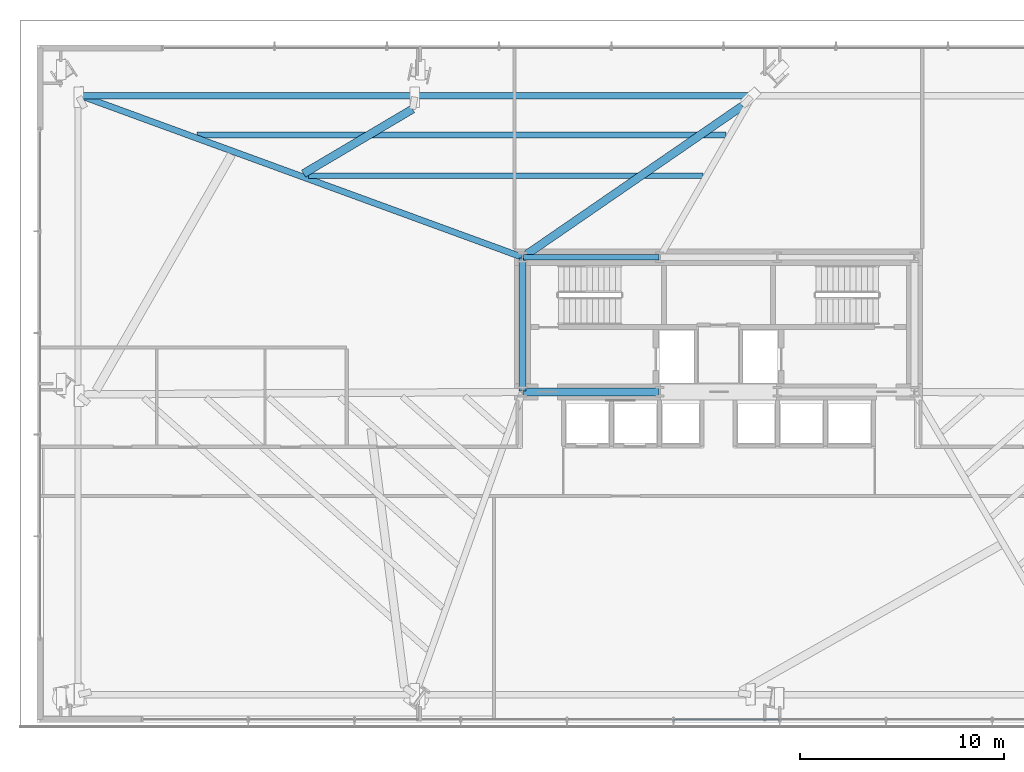
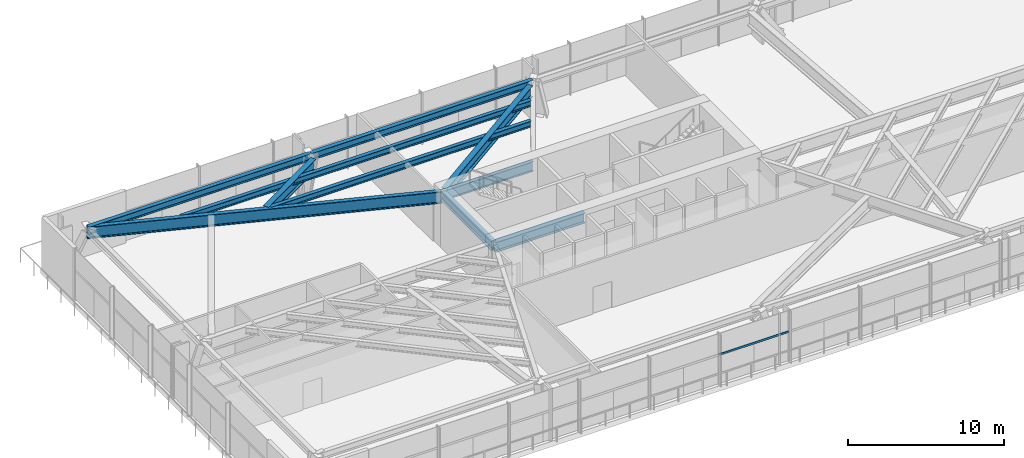
# One storey, part 11 of 33: 10 beams, 1 member, 1 element without a shape of its own.
"""IFC4 building model written with IfcOpenShell, lengths in metres."""

from ifc_helpers import new_model, si_unit, direction, frame, origin, origin_2d, place, context, subcontext, project, spatial, hollow_rectangle, i_section, extrude, source, transform, mapped, material, material_profile, profile_set, type_object, type_shapes, element, aggregate, save


model = new_model("IFC4")

# Units and contexts
model_context = context("Model", 3, precision=1e-05, world=origin(), true_north=direction((0.0, 1.0)))
body_context = subcontext(model_context, "Body", "Model", "MODEL_VIEW")
ifc_project = project(units=[si_unit("LENGTHUNIT", "METRE"), si_unit("AREAUNIT", "SQUARE_METRE"), si_unit("VOLUMEUNIT", "CUBIC_METRE"), si_unit("PLANEANGLEUNIT", "RADIAN"), si_unit("MASSUNIT", "GRAM", prefix="KILO")], contexts=[model_context])

# Site, building, storey
site_placement = place(None, origin())
site = spatial("IfcSite", under=ifc_project, at=site_placement, CompositionType="ELEMENT")
building_placement = place(site_placement, origin())
building = spatial("IfcBuilding", under=site, at=building_placement, Name="Astriad Promenade Condominiums", CompositionType="ELEMENT")
storey_placement = place(building_placement, frame((0.0, 0.0, 9.5)))
storey = spatial("IfcBuildingStorey", under=building, at=storey_placement, Name="L02", CompositionType="ELEMENT", Elevation=9.5)

# Beams
ifc_material_1 = material(Name="Steel ASTM A992 Grade 50", Category="steel")
ifc_material_profile_1 = material_profile(ifc_material_1, i_section(OverallWidth=0.3837890625, OverallDepth=0.785888671875, WebThickness=0.019775390625, FlangeThickness=0.033447265625, FilletRadius=0.021484375, at=origin_2d()), Name="W30X211")
ifc_profile_set_1 = profile_set([ifc_material_profile_1], Name="Steel ASTM A992 Grade 50")
beam_type_1 = type_object("IfcBeamType", Name="STEEL FLOOR GIRDER W30X211", PredefinedType="BEAM", material=ifc_profile_set_1)
shared_shape_1 = source(origin(), body_context, "Body", "SweptSolid", [
    extrude(i_section(OverallWidth=0.3837890625, OverallDepth=0.785888671875, WebThickness=0.019775390625, FlangeThickness=0.033447265625, FilletRadius=0.021484375, at=origin_2d()), origin(), (0.0, 0.0, 1.0), 6.64013671875),
])
type_shapes(beam_type_1, [shared_shape_1])
beam_1_placement = place(storey_placement, frame((26.43994140625, 17.39990234375, 3.68701171875), z_axis=(1.0, 0.0, 0.0), x_axis=(0.0, 1.0, 0.0)))
element("IfcBeam", 1, at=beam_1_placement, inside=storey, type_object=beam_type_1, Name="Core Ring Beam CG-S1-L02", PredefinedType="BEAM", context=body_context, shape_type="MappedRepresentation", body=[
    mapped(shared_shape_1, transform((0.0, 0.0, 0.0), scale=1.0)),
])
ifc_material_profile_2 = material_profile(ifc_material_1, i_section(OverallWidth=0.267822265625, OverallDepth=0.76953125, WebThickness=0.015625, FlangeThickness=0.025390625, FilletRadius=0.021484375, at=origin_2d()), Name="W30X132")
ifc_profile_set_2 = profile_set([ifc_material_profile_2], Name="Steel ASTM A992 Grade 50")
beam_type_2 = type_object("IfcBeamType", Name="STEEL FLOOR GIRDER W30X132", PredefinedType="BEAM", material=ifc_profile_set_2)
shared_shape_2 = source(origin(), body_context, "Body", "SweptSolid", [
    extrude(i_section(OverallWidth=0.267822265625, OverallDepth=0.76953125, WebThickness=0.015625, FlangeThickness=0.025390625, FilletRadius=0.021484375, at=origin_2d()), origin(), (0.0, 0.0, 1.0), 6.64013671875),
])
type_shapes(beam_type_2, [shared_shape_2])
beam_2_placement = place(storey_placement, frame((26.43994140625, 24.0, 3.6953125), z_axis=(1.0, 0.0, 0.0), x_axis=(0.0, 1.0, 0.0)))
element("IfcBeam", 2, at=beam_2_placement, inside=storey, type_object=beam_type_2, Name="Core Ring Beam CG-N1-L02", PredefinedType="BEAM", context=body_context, shape_type="MappedRepresentation", body=[
    mapped(shared_shape_2, transform((0.0, 0.0, 0.0), scale=1.0)),
])
ifc_material_profile_3 = material_profile(ifc_material_1, i_section(OverallWidth=0.35791015625, OverallDepth=0.706298828125, WebThickness=0.018310546875, FlangeThickness=0.0302734375, FilletRadius=0.020263671875, at=origin_2d()), Name="W27X178")
ifc_profile_set_3 = profile_set([ifc_material_profile_3], Name="Steel ASTM A992 Grade 50")
beam_type_3 = type_object("IfcBeamType", Name="STEEL FLOOR GIRDER W27X178", PredefinedType="BEAM", material=ifc_profile_set_3)
shared_shape_3 = source(origin(), body_context, "Body", "SweptSolid", [
    extrude(i_section(OverallWidth=0.35791015625, OverallDepth=0.706298828125, WebThickness=0.018310546875, FlangeThickness=0.0302734375, FilletRadius=0.020263671875, at=origin_2d()), origin(), (0.0, 0.0, 1.0), 6.52001953125),
])
type_shapes(beam_type_3, [shared_shape_3])
beam_3_placement = place(storey_placement, frame((26.39990234375, 17.43994140625, 3.726806640625), z_axis=(0.0, 1.0, 0.0), x_axis=(-1.0, 0.0, 0.0)))
element("IfcBeam", 3, at=beam_3_placement, inside=storey, type_object=beam_type_3, Name="Core Ring Beam CG-W1-L02", PredefinedType="BEAM", context=body_context, shape_type="MappedRepresentation", body=[
    mapped(shared_shape_3, transform((0.0, 0.0, 0.0), scale=1.0)),
])
ifc_material_profile_4 = material_profile(ifc_material_1, i_section(OverallWidth=0.3134765625, OverallDepth=0.54638671875, WebThickness=0.013916015625, FlangeThickness=0.022216796875, FilletRadius=0.0166015625, at=origin_2d()), Name="W21X111")
ifc_profile_set_4 = profile_set([ifc_material_profile_4], Name="Steel ASTM A992 Grade 50")
beam_type_4 = type_object("IfcBeamType", Name="STEEL SPANDREL BEAM W21X111", PredefinedType="SPANDREL", material=ifc_profile_set_4)
shared_shape_4 = source(origin(), body_context, "Body", "SweptSolid", [
    extrude(i_section(OverallWidth=0.3134765625, OverallDepth=0.54638671875, WebThickness=0.013916015625, FlangeThickness=0.022216796875, FilletRadius=0.0166015625, at=origin_2d()), origin(), (0.0, 0.0, 1.0), 16.433837890625),
])
type_shapes(beam_type_4, [shared_shape_4])
for number, where, z_axis, x_axis, name in (
    (4, (37.607177734375, 31.913818359375, 3.806884765625), (-1.0, 0.0, 0.0), (0.0, -1.0, 0.0), "Perimeter Spandrel Beam SP-N2-L02"),
    (5, (21.093505859375, 31.913818359375, 3.806884765625), (-1.0, 0.0, 0.0), (0.0, -1.0, 0.0), "Perimeter Spandrel Beam SP-N1-L02"),
):
    element("IfcBeam", number, at=place(storey_placement, frame(where, z_axis=z_axis, x_axis=x_axis)), inside=storey, type_object=beam_type_4, Name=name, PredefinedType="SPANDREL", context=body_context, shape_type="MappedRepresentation", body=[
        mapped(shared_shape_4, transform((0.0, 0.0, 0.0), scale=1.0)),
    ])
ifc_material_profile_5 = material_profile(ifc_material_1, i_section(OverallWidth=0.307861328125, OverallDepth=0.9267578125, WebThickness=0.019287109375, FlangeThickness=0.031982421875, FilletRadius=0.024169921875, at=origin_2d()), Name="W36X194")
ifc_profile_set_5 = profile_set([ifc_material_profile_5], Name="Steel ASTM A992 Grade 50")
beam_type_5 = type_object("IfcBeamType", Name="STEEL PRIMARY GIRDER W36X194", PredefinedType="BEAM", material=ifc_profile_set_5)
shared_shape_5 = source(origin(), body_context, "Body", "SweptSolid", [
    extrude(i_section(OverallWidth=0.307861328125, OverallDepth=0.9267578125, WebThickness=0.019287109375, FlangeThickness=0.031982421875, FilletRadius=0.024169921875, at=origin_2d()), origin(), (0.0, 0.0, 1.0), 23.155029296875),
])
type_shapes(beam_type_5, [shared_shape_5])
beam_4_placement = place(storey_placement, frame((4.615478515625, 31.96533203125, 3.61669921875), z_axis=(0.939185485034, -0.343410286248, 0.0), x_axis=(0.343410286248, 0.939185485034, 0.0)))
element("IfcBeam", 6, at=beam_4_placement, inside=storey, type_object=beam_type_5, Name="Primary Floor Girder PG-NW-L02", PredefinedType="BEAM", context=body_context, shape_type="MappedRepresentation", body=[
    mapped(shared_shape_5, transform((0.0, 0.0, 0.0), scale=1.0)),
])
ifc_material_profile_6 = material_profile(ifc_material_1, i_section(OverallWidth=0.283203125, OverallDepth=0.47216796875, WebThickness=0.013671875, FlangeThickness=0.022216796875, FilletRadius=0.01513671875, at=origin_2d()), Name="W18X97")
ifc_profile_set_6 = profile_set([ifc_material_profile_6], Name="Steel ASTM A992 Grade 50")
beam_type_6 = type_object("IfcBeamType", Name="STEEL FLOOR JOIST W18X97", PredefinedType="JOIST", material=ifc_profile_set_6)
shared_shape_6 = source(origin(), body_context, "Body", "SweptSolid", [
    extrude(i_section(OverallWidth=0.283203125, OverallDepth=0.47216796875, WebThickness=0.013671875, FlangeThickness=0.022216796875, FilletRadius=0.01513671875, at=origin_2d()), origin(), (0.0, 0.0, 1.0), 25.93017578125),
])
beam_5_placement = place(storey_placement, frame((10.4482421875, 29.984130859375, 3.843994140625), z_axis=(1.0, 0.0, 0.0), x_axis=(0.0, 1.0, 0.0)))
element("IfcBeam", 7, at=beam_5_placement, inside=storey, type_object=beam_type_6, Name="Secondary Composite Floor Joist JNW-1-L02", PredefinedType="JOIST", context=body_context, shape_type="MappedRepresentation", body=[
    mapped(shared_shape_6, transform((0.0, 0.0, 0.0), scale=1.0)),
])
shared_shape_7 = source(origin(), body_context, "Body", "SweptSolid", [
    extrude(i_section(OverallWidth=0.283203125, OverallDepth=0.47216796875, WebThickness=0.013671875, FlangeThickness=0.022216796875, FilletRadius=0.01513671875, at=origin_2d()), origin(), (0.0, 0.0, 1.0), 19.325927734375),
])
type_shapes(beam_type_6, [shared_shape_6, shared_shape_7])
beam_6_placement = place(storey_placement, frame((15.90380859375, 27.989501953125, 3.843994140625), z_axis=(1.0, 0.0, 0.0), x_axis=(0.0, 1.0, 0.0)))
element("IfcBeam", 8, at=beam_6_placement, inside=storey, type_object=beam_type_6, Name="Secondary Composite Floor Joist JNW-2-L02", PredefinedType="JOIST", context=body_context, shape_type="MappedRepresentation", body=[
    mapped(shared_shape_7, transform((0.0, 0.0, 0.0), scale=1.0)),
])
ifc_material_profile_7 = material_profile(ifc_material_1, i_section(OverallWidth=0.4013671875, OverallDepth=0.877197265625, WebThickness=0.022216796875, FlangeThickness=0.039794921875, FilletRadius=0.02294921875, at=origin_2d()), Name="W33X263")
ifc_profile_set_7 = profile_set([ifc_material_profile_7], Name="Steel ASTM A992 Grade 50")
beam_type_7 = type_object("IfcBeamType", Name="STEEL TRANSFER CARRIER GIRDER W33X263", PredefinedType="BEAM", material=ifc_profile_set_7)
shared_shape_8 = source(origin(), body_context, "Body", "SweptSolid", [
    extrude(i_section(OverallWidth=0.4013671875, OverallDepth=0.877197265625, WebThickness=0.022216796875, FlangeThickness=0.039794921875, FilletRadius=0.02294921875, at=origin_2d()), origin(), (0.0, 0.0, 1.0), 6.20703125),
])
beam_7_placement = place(storey_placement, frame((15.668701171875, 28.095947265625, 3.6416015625), z_axis=(0.860528477178, 0.509402336042, 0.0), x_axis=(-0.509402336042, 0.860528477178, 0.0)))
element("IfcBeam", 9, at=beam_7_placement, inside=storey, type_object=beam_type_7, Name="Transfer Splice Carrier TRM-SP-PC07-L02", PredefinedType="BEAM", context=body_context, shape_type="MappedRepresentation", body=[
    mapped(shared_shape_8, transform((0.0, 0.0, 0.0), scale=1.0)),
])
shared_shape_9 = source(origin(), body_context, "Body", "SweptSolid", [
    extrude(i_section(OverallWidth=0.4013671875, OverallDepth=0.877197265625, WebThickness=0.022216796875, FlangeThickness=0.039794921875, FilletRadius=0.02294921875, at=origin_2d()), origin(), (0.0, 0.0, 1.0), 12.837646484375),
])
type_shapes(beam_type_7, [shared_shape_8, shared_shape_9])
beam_8_placement = place(storey_placement, frame((26.602783203125, 24.1396484375, 3.6416015625), z_axis=(0.823764380958, 0.566932310479, 0.0), x_axis=(-0.566932310479, 0.823764380958, 0.0)))
element("IfcBeam", 10, at=beam_8_placement, inside=storey, type_object=beam_type_7, Name="Transfer Splice Carrier TRM-SP-PC08-L02", PredefinedType="BEAM", context=body_context, shape_type="MappedRepresentation", body=[
    mapped(shared_shape_9, transform((0.0, 0.0, 0.0), scale=1.0)),
])

# Curtain wall, member
ifc_material_2 = material(Name="Anodised aluminium Black Dark Glass Unitised", Category="aluminium")
curtain_wall_type = type_object("IfcCurtainWallType", Name="CW-POD-DARK", PredefinedType="USERDEFINED", material=ifc_material_2)
curtain_wall_placement = place(storey_placement, origin())
curtain_wall = element("IfcCurtainWall", 11, at=curtain_wall_placement, inside=storey, type_object=curtain_wall_type, Name="CW-L02-S", ObjectType="UNITISED_CURTAIN_WALL", PredefinedType="USERDEFINED")
ifc_material_3 = material(Name="Anodised aluminium 6063-T6 Black", Category="aluminium")
ifc_material_profile_8 = material_profile(ifc_material_3, hollow_rectangle(XDim=0.074951171875, YDim=0.14990234375, WallThickness=0.004150390625, at=origin_2d()), Name="ALU-TRN-75X150")
ifc_profile_set_8 = profile_set([ifc_material_profile_8], Name="Anodised aluminium 6063-T6 Black")
member_type = type_object("IfcMemberType", Name="TRN-ALU-TRN-75X150", PredefinedType="USERDEFINED", material=ifc_profile_set_8)
shared_shape_10 = source(origin(), body_context, "Body", "SweptSolid", [
    extrude(hollow_rectangle(XDim=0.074951171875, YDim=0.14990234375, WallThickness=0.004150390625, at=origin_2d()), origin(), (0.0, 0.0, 1.0), 5.208251953125),
])
type_shapes(member_type, [shared_shape_10])
member_placement = place(storey_placement, frame((39.0, 1.35009765625, 2.35009765625), z_axis=(-1.0, 0.0, 0.0), x_axis=(0.0, -1.0, 0.0)))
member = element("IfcMember", 12, at=member_placement, type_object=member_type, Name="CW-L02-S-TRN-06-0", ObjectType="TRANSOM", PredefinedType="USERDEFINED", context=body_context, shape_type="MappedRepresentation", body=[
    mapped(shared_shape_10, transform((0.0, 0.0, 0.0), scale=1.0)),
])
aggregate(curtain_wall, [member])

save(model, "model.ifc")
